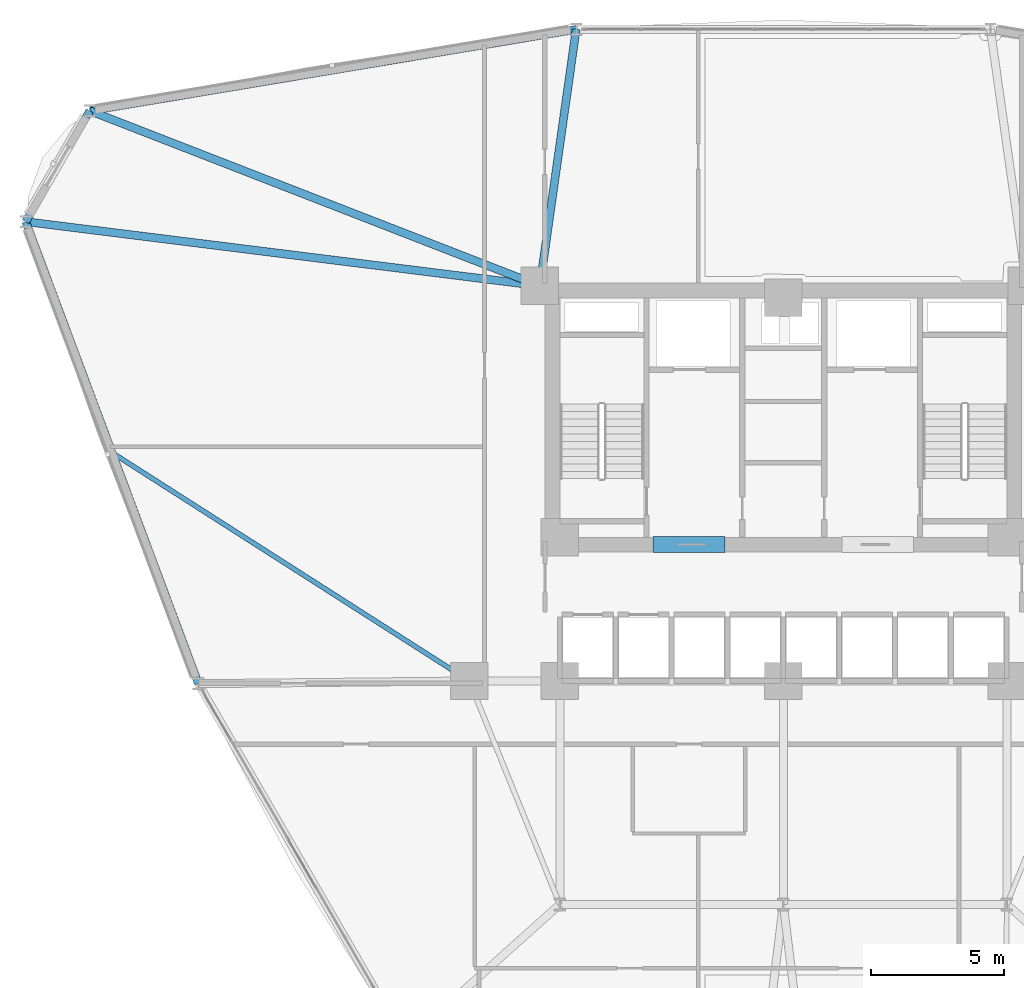
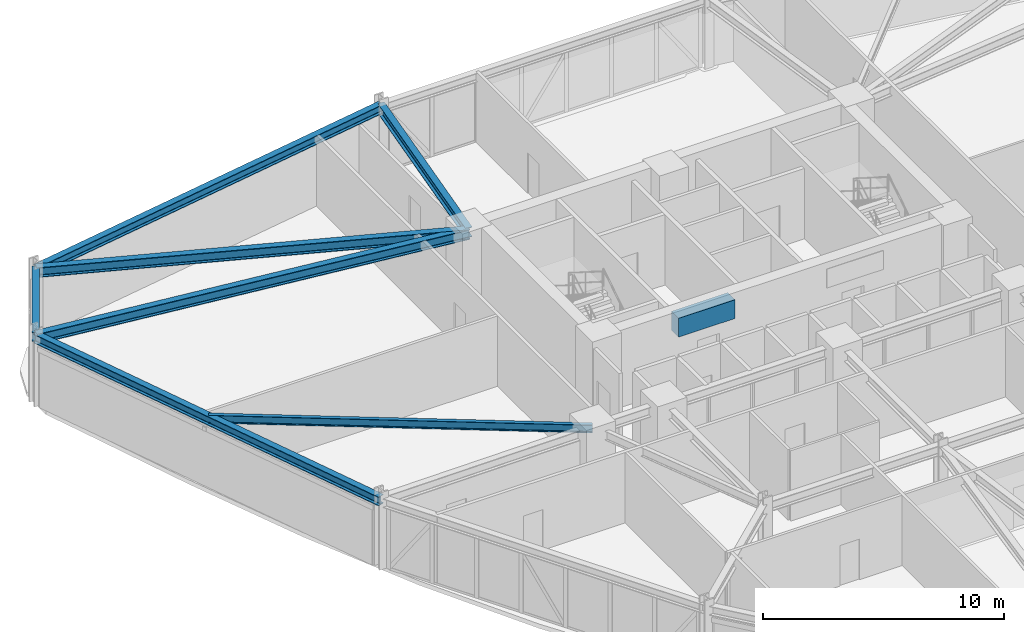
# One storey, part 11 of 22: 8 beams.
"""IFC4 building model written with IfcOpenShell, lengths in metres."""

from ifc_helpers import new_model, si_unit, derived_unit, direction, frame, origin, origin_2d, place, context, subcontext, project, spatial, rectangle, i_section, extrude, source, transform, mapped, material, material_profile, profile_set, type_object, element, save


model = new_model("IFC4")

# Units and contexts
model_context = context("Model", 3, precision=1e-05, world=origin(), true_north=direction((0.0, 1.0)))
body_context = subcontext(model_context, "Body", "Model", "MODEL_VIEW")
ifc_project = project(units=[si_unit("LENGTHUNIT", "METRE"), si_unit("AREAUNIT", "SQUARE_METRE"), si_unit("VOLUMEUNIT", "CUBIC_METRE"), si_unit("PLANEANGLEUNIT", "RADIAN"), si_unit("MASSUNIT", "GRAM", prefix="KILO"), derived_unit("THERMALTRANSMITTANCEUNIT", [(si_unit("POWERUNIT", "WATT"), 1), (si_unit("LENGTHUNIT", "METRE"), -2), (si_unit("THERMODYNAMICTEMPERATUREUNIT", "KELVIN"), -1)])], contexts=[model_context])

# Site, building, storey
site_placement = place(None, origin())
site = spatial("IfcSite", under=ifc_project, at=site_placement, CompositionType="ELEMENT")
building_placement = place(site_placement, origin())
building = spatial("IfcBuilding", under=site, at=building_placement, Name="Korsvarv Bourse and Concert Hall", CompositionType="ELEMENT")
storey_placement = place(building_placement, frame((0.0, 0.0, 55.199951171875)))
storey = spatial("IfcBuildingStorey", under=building, at=storey_placement, Name="L13", CompositionType="ELEMENT", Elevation=55.199951171875)

# Beams
ifc_material_1 = material(Name="Concrete C55/67", Category="concrete")
ifc_material_profile_1 = material_profile(ifc_material_1, rectangle(XDim=0.60009765625, YDim=0.949951171875, at=origin_2d()), Name="RC-BM 600x950")
ifc_profile_set_1 = profile_set([ifc_material_profile_1], Name="Concrete C55/67")
beam_type_1 = type_object("IfcBeamType", Name="BM-CPL", PredefinedType="LINTEL", material=ifc_profile_set_1)
shared_shape_1 = source(origin(), body_context, "Body", "SweptSolid", [
    extrude(rectangle(XDim=0.60009765625, YDim=0.949951171875, at=origin_2d()), origin(), (0.0, 0.0, 1.0), 2.699951171875),
])
beam_1_placement = place(storey_placement, frame((31.10009765625, 37.52490234375, 3.0849609375), z_axis=(1.0, 0.0, 0.0), x_axis=(0.0, 1.0, 0.0)))
element("IfcBeam", 1, at=beam_1_placement, inside=storey, type_object=beam_type_1, Name="L13 Core Coupling Beam West", PredefinedType="LINTEL", context=body_context, shape_type="MappedRepresentation", body=[
    mapped(shared_shape_1, transform((0.0, 0.0, 0.0), scale=1.0)),
])
ifc_material_2 = material(Name="Steel S355", Category="steel")
ifc_material_profile_2 = material_profile(ifc_material_2, i_section(OverallWidth=0.300048828125, OverallDepth=0.449951171875, WebThickness=0.013916015625, FlangeThickness=0.02587890625, FilletRadius=0.02099609375, at=origin_2d()), Name="HEB 450")
ifc_profile_set_2 = profile_set([ifc_material_profile_2], Name="Steel S355")
beam_type_2 = type_object("IfcBeamType", Name="BM-HEB450", PredefinedType="SPANDREL", material=ifc_profile_set_2)
shared_shape_2 = source(origin(), body_context, "Body", "SweptSolid", [
    extrude(i_section(OverallWidth=0.300048828125, OverallDepth=0.449951171875, WebThickness=0.013916015625, FlangeThickness=0.02587890625, FilletRadius=0.02099609375, at=origin_2d()), origin(), (0.0, 0.0, 1.0), 4.810791015625),
])
beam_2_placement = place(storey_placement, frame((9.930908203125, 53.82861328125, 3.3349609375), z_axis=(-0.500019702373, -0.866014028315, 0.0), x_axis=(0.866014028315, -0.500019702373, 0.0)))
element("IfcBeam", 2, at=beam_2_placement, inside=storey, type_object=beam_type_2, Name="L13 beam B-08", PredefinedType="SPANDREL", context=body_context, shape_type="MappedRepresentation", body=[
    mapped(shared_shape_2, transform((0.0, 0.0, 0.0), scale=1.0)),
])
shared_shape_3 = source(origin(), body_context, "Body", "SweptSolid", [
    extrude(i_section(OverallWidth=0.300048828125, OverallDepth=0.449951171875, WebThickness=0.013916015625, FlangeThickness=0.02587890625, FilletRadius=0.02099609375, at=origin_2d()), origin(), (0.0, 0.0, 1.0), 18.538818359375),
])
for number, where, z_axis, x_axis, name in (
    (3, (28.21533203125, 56.889404296875, 3.3349609375), (-0.98627657502, -0.16510153714, 0.0), (0.16510153714, -0.98627657502, 0.0), "L13 beam B-08"),
    (4, (7.525390625, 49.662353515625, 3.3349609375), (0.35015342957, -0.936692359188, 0.0), (0.936692359188, 0.35015342957, 0.0), "L13 beam B-08"),
):
    element("IfcBeam", number, at=place(storey_placement, frame(where, z_axis=z_axis, x_axis=x_axis)), inside=storey, type_object=beam_type_2, Name=name, PredefinedType="SPANDREL", context=body_context, shape_type="MappedRepresentation", body=[
        mapped(shared_shape_3, transform((0.0, 0.0, 0.0), scale=1.0)),
    ])
ifc_material_profile_3 = material_profile(ifc_material_2, i_section(OverallWidth=0.300048828125, OverallDepth=0.5, WebThickness=0.014404296875, FlangeThickness=0.028076171875, FilletRadius=0.02392578125, at=origin_2d()), Name="HEB 500")
ifc_profile_set_3 = profile_set([ifc_material_profile_3], Name="Steel S355")
beam_type_3 = type_object("IfcBeamType", Name="BM-HEB500", PredefinedType="BEAM", material=ifc_profile_set_3)
shared_shape_4 = source(origin(), body_context, "Body", "SweptSolid", [
    extrude(i_section(OverallWidth=0.300048828125, OverallDepth=0.5, WebThickness=0.014404296875, FlangeThickness=0.028076171875, FilletRadius=0.02392578125, at=origin_2d()), origin(), (0.0, 0.0, 1.0), 19.474609375),
])
beam_3_placement = place(storey_placement, frame((7.525390625, 49.662353515625, 3.31005859375), z_axis=(0.992298307048, -0.123871182403, 0.0), x_axis=(0.123871182403, 0.992298307048, 0.0)))
element("IfcBeam", 5, at=beam_3_placement, inside=storey, type_object=beam_type_3, Name="L13 beam B-07", PredefinedType="BEAM", context=body_context, shape_type="MappedRepresentation", body=[
    mapped(shared_shape_4, transform((0.0, 0.0, 0.0), scale=1.0)),
])
shared_shape_5 = source(origin(), body_context, "Body", "SweptSolid", [
    extrude(i_section(OverallWidth=0.300048828125, OverallDepth=0.5, WebThickness=0.014404296875, FlangeThickness=0.028076171875, FilletRadius=0.02392578125, at=origin_2d()), origin(), (0.0, 0.0, 1.0), 18.153076171875),
])
beam_4_placement = place(storey_placement, frame((9.930908203125, 53.82861328125, 3.31005859375), z_axis=(0.932024609168, -0.362394988797, 0.0), x_axis=(0.362394988797, 0.932024609168, 0.0)))
element("IfcBeam", 6, at=beam_4_placement, inside=storey, type_object=beam_type_3, Name="L13 beam B-07", PredefinedType="BEAM", context=body_context, shape_type="MappedRepresentation", body=[
    mapped(shared_shape_5, transform((0.0, 0.0, 0.0), scale=1.0)),
])
shared_shape_6 = source(origin(), body_context, "Body", "SweptSolid", [
    extrude(i_section(OverallWidth=0.300048828125, OverallDepth=0.5, WebThickness=0.014404296875, FlangeThickness=0.028076171875, FilletRadius=0.02392578125, at=origin_2d()), origin(), (0.0, 0.0, 1.0), 9.735595703125),
])
beam_5_placement = place(storey_placement, frame((28.21533203125, 56.889404296875, 3.31005859375), z_axis=(-0.140231095274, -0.990118800911, 0.0), x_axis=(0.990118800911, -0.140231095274, 0.0)))
element("IfcBeam", 7, at=beam_5_placement, inside=storey, type_object=beam_type_3, Name="L13 beam B-07", PredefinedType="BEAM", context=body_context, shape_type="MappedRepresentation", body=[
    mapped(shared_shape_6, transform((0.0, 0.0, 0.0), scale=1.0)),
])
ifc_material_profile_4 = material_profile(ifc_material_2, i_section(OverallWidth=0.179931640625, OverallDepth=0.39990234375, WebThickness=0.008544921875, FlangeThickness=0.013427734375, FilletRadius=0.02099609375, at=origin_2d()), Name="IPE 400")
ifc_profile_set_4 = profile_set([ifc_material_profile_4], Name="Steel S355")
beam_type_4 = type_object("IfcBeamType", Name="BM-IPE400", PredefinedType="JOIST", material=ifc_profile_set_4)
shared_shape_7 = source(origin(), body_context, "Body", "SweptSolid", [
    extrude(i_section(OverallWidth=0.179931640625, OverallDepth=0.39990234375, WebThickness=0.008544921875, FlangeThickness=0.013427734375, FilletRadius=0.02099609375, at=origin_2d()), origin(), (0.0, 0.0, 1.0), 15.935791015625),
])
beam_6_placement = place(storey_placement, frame((10.77099609375, 40.979736328125, 3.360107421875), z_axis=(0.842689888212, -0.538399249912, 0.0), x_axis=(0.538399249912, 0.842689888212, 0.0)))
element("IfcBeam", 8, at=beam_6_placement, inside=storey, type_object=beam_type_4, Name="L13 beam J-05", PredefinedType="JOIST", context=body_context, shape_type="MappedRepresentation", body=[
    mapped(shared_shape_7, transform((0.0, 0.0, 0.0), scale=1.0)),
])

save(model, "model.ifc")
